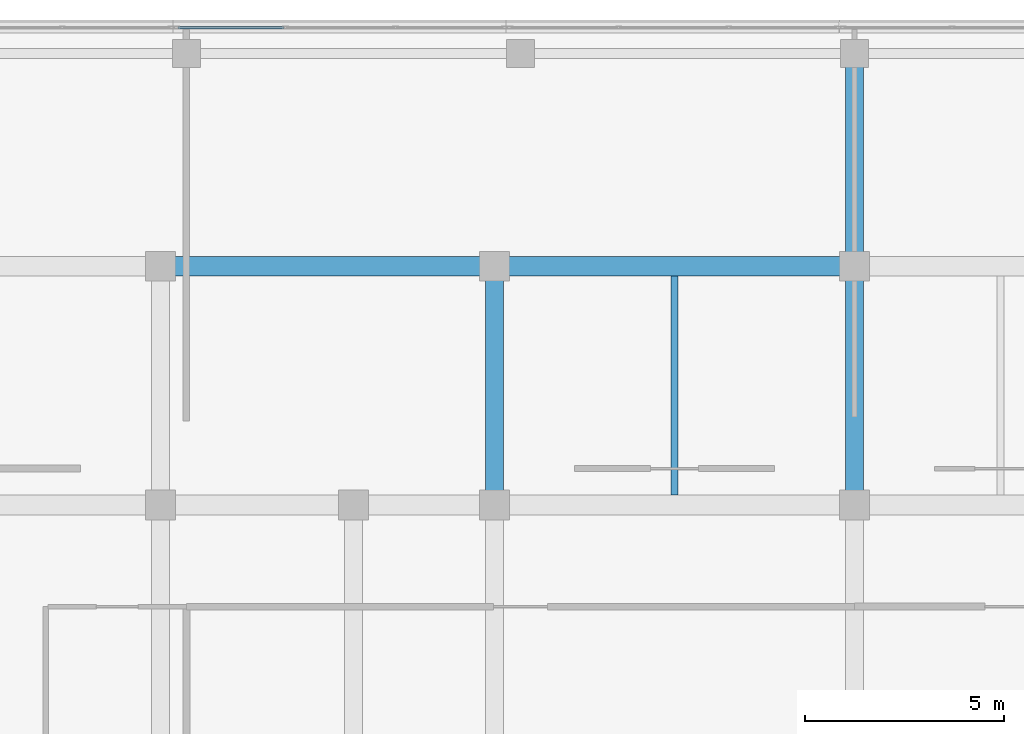
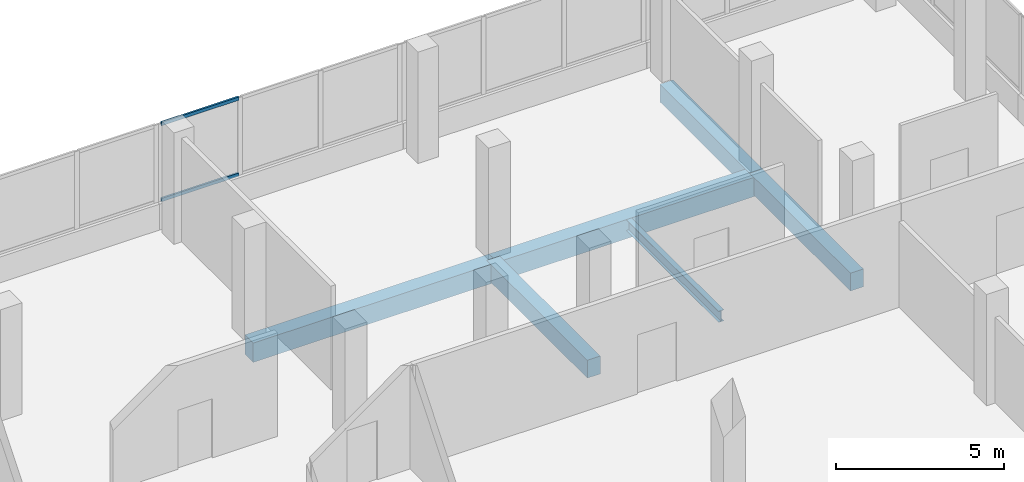
# One storey, part 69 of 101: 6 beams, 2 members, 1 element without a shape of its own.
"""IFC4 building model written with IfcOpenShell, lengths in metres."""

import ifcopenshell
import ifcopenshell.guid

model = None  # the IFC model being written
_history = None  # IfcOwnerHistory: only IFC2X3 demands one
_inside = {}  # id of a spatial element -> (the spatial element, [elements in it])
_under = {}  # id of a project, library or spatial element -> (it, [spatial elements below it])
_declared = {}  # id of a project -> (the project, [libraries it declares])
_typed = {}  # id of a type object -> (the type object, [elements of that type])
_made_of = {}  # id of a material, layer set ... -> (it, [elements and type objects made of it])


def new_model(schema):
    """Start an empty IFC model of exactly this schema.

    Asked for "IFC4X3", IfcOpenShell would pick the latest addendum, in which some entities
    have other attributes; the version numbers below select the first issue.
    IFC2X3 requires an IfcOwnerHistory on every rooted entity: one is made here for all.
    """
    global model, _history
    if schema == "IFC4X3":
        model = ifcopenshell.file(schema_version=(4, 3, 0, 0))
    else:
        model = ifcopenshell.file(schema=schema)
    _inside.clear()
    _under.clear()
    _declared.clear()
    _typed.clear()
    _made_of.clear()
    _history = None
    if model.schema == "IFC2X3":
        org = make("IfcOrganization", Name="unknown")
        user = make(
            "IfcPersonAndOrganization",
            ThePerson=make("IfcPerson", FamilyName="unknown"),
            TheOrganization=org,
        )
        app = make(
            "IfcApplication",
            ApplicationDeveloper=org,
            Version="unknown",
            ApplicationFullName="unknown",
            ApplicationIdentifier="unknown",
        )
        _history = make(
            "IfcOwnerHistory",
            OwningUser=user,
            OwningApplication=app,
            ChangeAction="ADDED",
            CreationDate=0,
        )
    return model


def make(cls, **values):
    """One entity of the class cls with the attributes given. An attribute that is None is left unset."""
    return model.create_entity(
        cls, **{name: value for name, value in values.items() if value is not None}
    )


def rooted(cls, **values):
    """An entity with a GlobalId (a new one), such as an element, a storey or a relation."""
    return make(cls, GlobalId=ifcopenshell.guid.new(), OwnerHistory=_history, **values)


def si_unit(unit_type, name, prefix=None):
    """IfcSIUnit, for example si_unit("LENGTHUNIT", "METRE", prefix="MILLI")."""
    return make("IfcSIUnit", UnitType=unit_type, Prefix=prefix, Name=name)


def assignment(units):
    """IfcUnitAssignment: the units of a project."""
    return None if units is None else make("IfcUnitAssignment", Units=units)


def point(xyz):
    """IfcCartesianPoint."""
    return None if xyz is None else make("IfcCartesianPoint", Coordinates=xyz)


def direction(xyz):
    """IfcDirection."""
    return None if xyz is None else make("IfcDirection", DirectionRatios=xyz)


def frame(location, z_axis=None, x_axis=None):
    """IfcAxis2Placement3D, a coordinate frame: its origin and axes. An axis left out is left unset."""
    return make(
        "IfcAxis2Placement3D",
        Location=point(location),
        Axis=direction(z_axis),
        RefDirection=direction(x_axis),
    )


def frame_2d(location, x_axis=None):
    """IfcAxis2Placement2D, a coordinate frame in the plane: its origin and x axis."""
    return make(
        "IfcAxis2Placement2D", Location=point(location), RefDirection=direction(x_axis)
    )


def origin():
    """The frame at (0, 0, 0) with its axes left unset."""
    return frame((0.0, 0.0, 0.0))


def origin_2d():
    """The frame at (0, 0) in the plane with its x axis left unset."""
    return frame_2d((0.0, 0.0))


def place(relative_to, where):
    """IfcLocalPlacement: puts the frame where relative to a parent placement (None: the world)."""
    return make(
        "IfcLocalPlacement", PlacementRelTo=relative_to, RelativePlacement=where
    )


def context(
    kind, dimensions, precision=None, world=None, true_north=None, identifier=None
):
    """IfcGeometricRepresentationContext, for example the 3D "Model" context."""
    return make(
        "IfcGeometricRepresentationContext",
        ContextIdentifier=identifier,
        ContextType=kind,
        CoordinateSpaceDimension=dimensions,
        Precision=precision,
        WorldCoordinateSystem=world,
        TrueNorth=true_north,
    )


def subcontext(parent, identifier, kind, view, scale=None):
    """IfcGeometricRepresentationSubContext, for example "Body" below "Model"."""
    return make(
        "IfcGeometricRepresentationSubContext",
        ContextIdentifier=identifier,
        ContextType=kind,
        ParentContext=parent,
        TargetScale=scale,
        TargetView=view,
    )


def project(units=None, contexts=None):
    """IfcProject with its units and contexts."""
    return rooted(
        "IfcProject",
        Name="project",
        RepresentationContexts=contexts,
        UnitsInContext=assignment(units),
    )


def spatial(cls, under=None, at=None, **own):
    """A site, building, storey or space (cls), placed at a placement, below another one or the project."""
    s = rooted(cls, ObjectPlacement=at, **own)
    if under is not None:
        _under.setdefault(under.id(), (under, []))[1].append(s)
    return s


def profile(cls, at=None, kind="AREA", **sizes):
    """A parametric profile (cls). Its sizes go by their IFC names, for example OverallWidth=200.0."""
    return make(cls, ProfileType=kind, Position=at, **sizes)


def rectangle(**sizes):
    """IfcRectangleProfileDef."""
    return profile("IfcRectangleProfileDef", **sizes)


def hollow_rectangle(**sizes):
    """IfcRectangleHollowProfileDef."""
    return profile("IfcRectangleHollowProfileDef", **sizes)


def i_section(**sizes):
    """IfcIShapeProfileDef."""
    return profile("IfcIShapeProfileDef", **sizes)


def extrude(swept, where, along, depth):
    """IfcExtrudedAreaSolid: the profile swept, set in the frame where, extruded along a direction by depth."""
    return make(
        "IfcExtrudedAreaSolid",
        SweptArea=swept,
        Position=where,
        ExtrudedDirection=direction(along),
        Depth=depth,
    )


def shape(context_of_items, identifier, shape_type, items):
    """IfcShapeRepresentation: the items that make up one representation, for example the "Body"."""
    return make(
        "IfcShapeRepresentation",
        ContextOfItems=context_of_items,
        RepresentationIdentifier=identifier,
        RepresentationType=shape_type,
        Items=items,
    )


def material(Name=None, Category=None):
    """IfcMaterial."""
    return make("IfcMaterial", Name=Name, Category=Category)


def material_profile(
    of_material, cross_section, Name=None, Category=None, Priority=None
):
    """IfcMaterialProfile: a cross section and its material."""
    return make(
        "IfcMaterialProfile",
        Name=Name,
        Material=of_material,
        Profile=cross_section,
        Priority=Priority,
        Category=Category,
    )


def profile_set(profiles, Name=None, composite=None):
    """IfcMaterialProfileSet."""
    return make(
        "IfcMaterialProfileSet",
        Name=Name,
        MaterialProfiles=profiles,
        CompositeProfile=composite,
    )


def made_of(thing, what):
    """Note that an element or type object is made of a material, layer set ...; save() writes the relation."""
    if what is not None:
        _made_of.setdefault(what.id(), (what, []))[1].append(thing)
    return thing


def type_object(cls, material=None, **own):
    """A type object (cls), such as IfcWallType, which elements share."""
    return made_of(rooted(cls, **own), material)


def element(
    cls,
    number,
    at=None,
    inside=None,
    cuts=None,
    type_object=None,
    material=None,
    context=None,
    identifier="Body",
    shape_type=None,
    held_by="IfcProductDefinitionShape",
    body=None,
    shapes=None,
    **own,
):
    """One element of the class cls, such as IfcWall. Its Tag is "e" and its number.

    at: its placement. inside: the storey or other place that contains it. cuts: it is an
    opening in that element (IfcRelVoidsElement). A single representation is given by context,
    identifier, shape_type and body (its items); several are given by shapes. held_by: the class
    of the entity that holds the representations. save() writes the other relations.
    """
    e = rooted(cls, Tag="e%d" % number, ObjectPlacement=at, **own)
    if body is not None:
        shapes = [shape(context, identifier, shape_type, body)]
    if shapes is not None:
        e.Representation = make(held_by, Representations=shapes)
    if inside is not None:
        _inside.setdefault(inside.id(), (inside, []))[1].append(e)
    if cuts is not None:
        rooted(
            "IfcRelVoidsElement", RelatingBuildingElement=cuts, RelatedOpeningElement=e
        )
    if type_object is not None:
        _typed.setdefault(type_object.id(), (type_object, []))[1].append(e)
    return made_of(e, material)


def aggregate(whole, parts):
    """IfcRelAggregates: a whole, such as a stair, and the parts it consists of."""
    return rooted("IfcRelAggregates", RelatingObject=whole, RelatedObjects=parts)


def save(model, path):
    """Write the relations noted so far, then the file.

    IfcRelAggregates (storeys below a building ...), IfcRelContainedInSpatialStructure (elements
    in a storey), IfcRelDefinesByType, IfcRelAssociatesMaterial and IfcRelDeclares: one each for
    every whole, place, type object, material and project.
    """
    for whole, parts in _under.values():
        aggregate(whole, parts)
    for where, things in _inside.values():
        rooted(
            "IfcRelContainedInSpatialStructure",
            RelatedElements=things,
            RelatingStructure=where,
        )
    for kind, things in _typed.values():
        rooted("IfcRelDefinesByType", RelatedObjects=things, RelatingType=kind)
    for what, things in _made_of.values():
        rooted("IfcRelAssociatesMaterial", RelatedObjects=things, RelatingMaterial=what)
    for by, libraries in _declared.values():
        rooted("IfcRelDeclares", RelatingContext=by, RelatedDefinitions=libraries)
    model.write(path)


model = new_model("IFC4")

# Units and contexts
model_context = context("Model", 3, precision=1e-05, world=origin(), true_north=direction((0.0, 1.0)))
body_context = subcontext(model_context, "Body", "Model", "MODEL_VIEW")
ifc_project = project(units=[si_unit("LENGTHUNIT", "METRE"), si_unit("AREAUNIT", "SQUARE_METRE"), si_unit("VOLUMEUNIT", "CUBIC_METRE"), si_unit("PLANEANGLEUNIT", "RADIAN"), si_unit("MASSUNIT", "GRAM", prefix="KILO")], contexts=[model_context])

# Site, building, storey
site_placement = place(None, origin())
site = spatial("IfcSite", under=ifc_project, at=site_placement, CompositionType="ELEMENT")
building_placement = place(site_placement, origin())
building = spatial("IfcBuilding", under=site, at=building_placement, Name="Selatvlak General Hospital", CompositionType="ELEMENT")
storey_placement = place(building_placement, frame((0.0, 0.0, 19.199951171875)))
storey = spatial("IfcBuildingStorey", under=building, at=storey_placement, Name="L04", CompositionType="ELEMENT", Elevation=19.199951171875)

# Beams
ifc_material_1 = material(Name="Concrete C40/50", Category="concrete")
ifc_material_profile_1 = material_profile(ifc_material_1, rectangle(XDim=0.5, YDim=0.699951171875, at=origin_2d()), Name="RC-BM 500x700")
ifc_profile_set_1 = profile_set([ifc_material_profile_1], Name="Concrete C40/50")
beam_type_1 = type_object("IfcBeamType", Name="BM-G03", PredefinedType="BEAM", material=ifc_profile_set_1)
beam_1_placement = place(storey_placement, frame((156.550048828125, 114.0, -0.655029296875), z_axis=(1.0, 0.0, 0.0), x_axis=(0.0, 1.0, 0.0)))
element("IfcBeam", 1, at=beam_1_placement, inside=storey, type_object=beam_type_1, Name="Beam BMR-L04-1624", PredefinedType="BEAM", context=body_context, shape_type="SweptSolid", body=[
    extrude(rectangle(XDim=0.5, YDim=0.699951171875, at=origin_2d()), origin(), (0.0, 0.0, 1.0), 8.39990234375),
])
beam_2_placement = place(storey_placement, frame((164.949951171875, 114.0, -0.655029296875), z_axis=(1.0, 0.0, 0.0), x_axis=(0.0, 1.0, 0.0)))
element("IfcBeam", 2, at=beam_2_placement, inside=storey, type_object=beam_type_1, Name="Beam BMR-L04-1625", PredefinedType="BEAM", context=body_context, shape_type="SweptSolid", body=[
    extrude(rectangle(XDim=0.5, YDim=0.699951171875, at=origin_2d()), origin(), (0.0, 0.0, 1.0), 9.050048828125),
])
ifc_material_profile_2 = material_profile(ifc_material_1, rectangle(XDim=0.449951171875, YDim=0.64990234375, at=origin_2d()), Name="RC-BM 450x650")
ifc_profile_set_2 = profile_set([ifc_material_profile_2], Name="Concrete C40/50")
beam_type_2 = type_object("IfcBeamType", Name="BM-G04", PredefinedType="BEAM", material=ifc_profile_set_2)
for number, where, z_axis, x_axis, name in (
    (3, (164.949951171875, 108.0, -0.6298828125), (0.0, 1.0, 0.0), (-1.0, 0.0, 0.0), "Beam BMR-L04-1755"),
    (4, (174.0, 108.0, -0.6298828125), (0.0, 1.0, 0.0), (-1.0, 0.0, 0.0), "Beam BMR-L04-1764"),
):
    element("IfcBeam", number, at=place(storey_placement, frame(where, z_axis=z_axis, x_axis=x_axis)), inside=storey, type_object=beam_type_2, Name=name, PredefinedType="BEAM", context=body_context, shape_type="SweptSolid", body=[
        extrude(rectangle(XDim=0.449951171875, YDim=0.64990234375, at=origin_2d()), origin(), (0.0, 0.0, 1.0), 6.0),
    ])
beam_3_placement = place(storey_placement, frame((174.0, 114.0, -0.6298828125), z_axis=(0.0, 1.0, 0.0), x_axis=(-1.0, 0.0, 0.0)))
element("IfcBeam", 5, at=beam_3_placement, inside=storey, type_object=beam_type_2, Name="Beam BMR-L04-1765", PredefinedType="BEAM", context=body_context, shape_type="SweptSolid", body=[
    extrude(rectangle(XDim=0.449951171875, YDim=0.64990234375, at=origin_2d()), origin(), (0.0, 0.0, 1.0), 5.35009765625),
])
ifc_material_2 = material(Name="Steel S355", Category="steel")
ifc_material_profile_3 = material_profile(ifc_material_2, i_section(OverallWidth=0.177978515625, OverallDepth=0.406494140625, WebThickness=0.0078125, FlangeThickness=0.0126953125, at=origin_2d()), Name="UB 406x178x60")
ifc_profile_set_3 = profile_set([ifc_material_profile_3], Name="Steel S355")
beam_type_3 = type_object("IfcBeamType", Name="BM-J04", PredefinedType="JOIST", material=ifc_profile_set_3)
beam_4_placement = place(storey_placement, frame((169.47509765625, 108.25, -0.508056640625), z_axis=(0.0, 1.0, 0.0), x_axis=(-1.0, 0.0, 0.0)))
element("IfcBeam", 6, at=beam_4_placement, inside=storey, type_object=beam_type_3, Name="Beam BMR-L04-1791", PredefinedType="JOIST", context=body_context, shape_type="SweptSolid", body=[
    extrude(i_section(OverallWidth=0.177978515625, OverallDepth=0.406494140625, WebThickness=0.0078125, FlangeThickness=0.0126953125, at=origin_2d()), origin(), (0.0, 0.0, 1.0), 5.5),
])

# Curtain wall, members
ifc_material_3 = material(Name="Solar-control Low-E double glazing", Category="glass")
curtain_wall_type = type_object("IfcCurtainWallType", Name="CW-CW-01", PredefinedType="USERDEFINED", material=ifc_material_3)
curtain_wall_placement = place(storey_placement, origin())
curtain_wall = element("IfcCurtainWall", 7, at=curtain_wall_placement, inside=storey, type_object=curtain_wall_type, Name="Glazed facade curtain wall CW-L04-0497", ObjectType="UNITISED CURTAIN WALL", PredefinedType="USERDEFINED")
ifc_material_4 = material(Name="Dark anodised aluminium mullion", Category="aluminium")
ifc_material_profile_4 = material_profile(ifc_material_4, hollow_rectangle(XDim=0.06494140625, YDim=0.1201171875, WallThickness=0.00390625, at=origin_2d()), Name="AL-TRN 65x120x4")
ifc_profile_set_4 = profile_set([ifc_material_profile_4], Name="Dark anodised aluminium mullion")
member_type = type_object("IfcMemberType", Name="CWT-01", PredefinedType="USERDEFINED", material=ifc_profile_set_4)
member_1_placement = place(storey_placement, frame((156.989013671875, 120.0, 0.97265625), z_axis=(1.0, 0.0, 0.0), x_axis=(0.0, 1.0, 0.0)))
member_1 = element("IfcMember", 8, at=member_1_placement, type_object=member_type, Name="CW-01 transom 1.1", ObjectType="TRANSOM", PredefinedType="USERDEFINED", context=body_context, shape_type="SweptSolid", body=[
    extrude(hollow_rectangle(XDim=0.06494140625, YDim=0.1201171875, WallThickness=0.00390625, at=origin_2d()), origin(), (0.0, 0.0, 1.0), 2.669189453125),
])
member_2_placement = place(storey_placement, frame((156.989013671875, 120.0, 3.737548828125), z_axis=(1.0, 0.0, 0.0), x_axis=(0.0, 1.0, 0.0)))
member_2 = element("IfcMember", 9, at=member_2_placement, type_object=member_type, Name="CW-01 transom 1.2", ObjectType="TRANSOM", PredefinedType="USERDEFINED", context=body_context, shape_type="SweptSolid", body=[
    extrude(hollow_rectangle(XDim=0.06494140625, YDim=0.1201171875, WallThickness=0.00390625, at=origin_2d()), origin(), (0.0, 0.0, 1.0), 2.669189453125),
])
aggregate(curtain_wall, [member_1, member_2])

save(model, "model.ifc")
